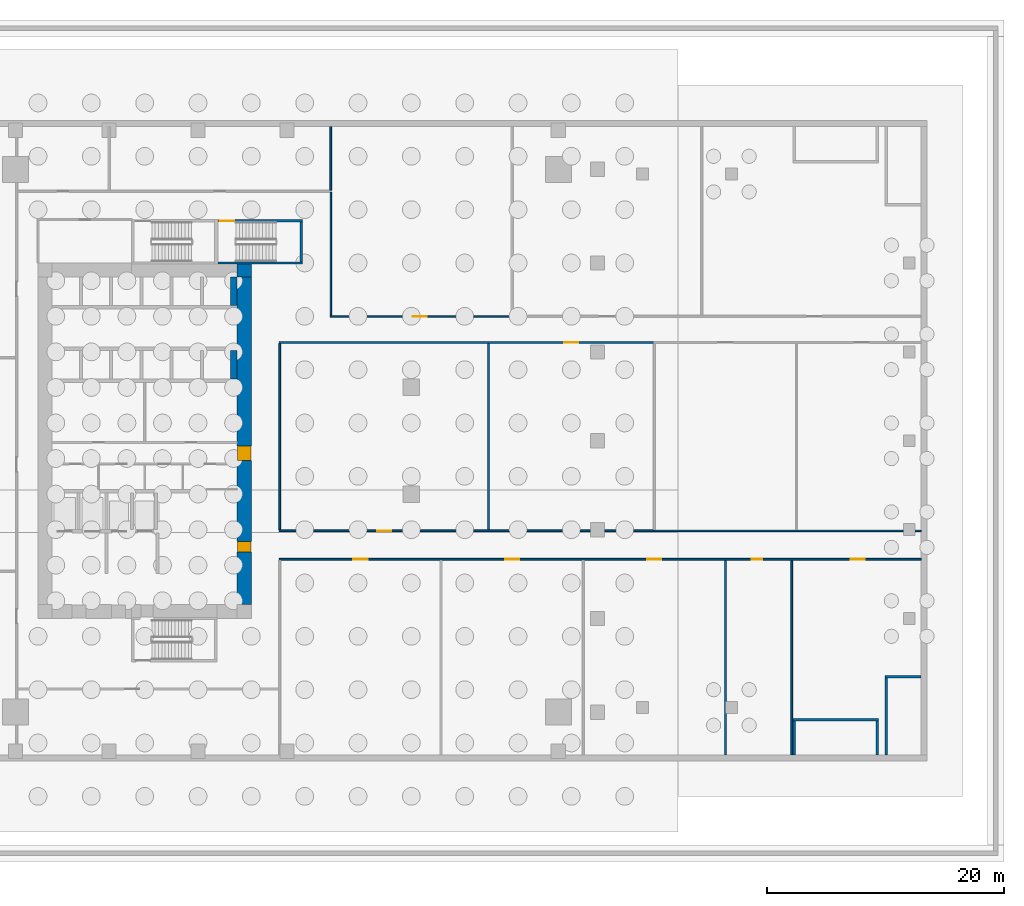
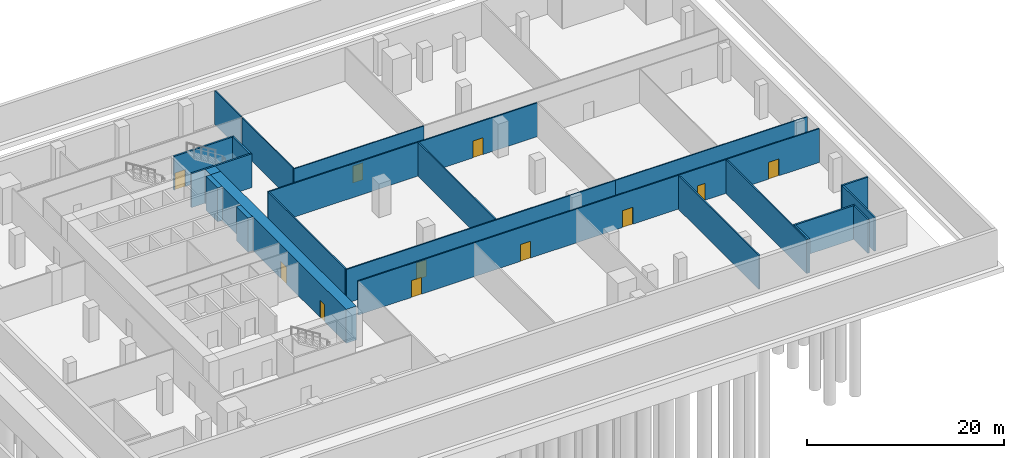
# One storey, part 6 of 10: 23 walls, 11 doors, 11 openings.
"""IFC4 building model written with IfcOpenShell, lengths in metres."""

from ifc_helpers import new_model, si_unit, direction, frame, frame_2d, origin, place, context, subcontext, project, spatial, rectangle, extrude, source, transform, mapped, material, layer, layer_set, type_object, element, fill, save


model = new_model("IFC4")

# Units and contexts
model_context = context("Model", 3, precision=1e-05, world=origin(), true_north=direction((0.0, 1.0)))
body_context = subcontext(model_context, "Body", "Model", "MODEL_VIEW")
ifc_project = project(units=[si_unit("LENGTHUNIT", "METRE"), si_unit("AREAUNIT", "SQUARE_METRE"), si_unit("VOLUMEUNIT", "CUBIC_METRE"), si_unit("PLANEANGLEUNIT", "RADIAN"), si_unit("MASSUNIT", "GRAM", prefix="KILO")], contexts=[model_context])

# Site, building, storey
site_placement = place(None, origin())
site = spatial("IfcSite", under=ifc_project, at=site_placement, CompositionType="ELEMENT")
building_placement = place(site_placement, origin())
building = spatial("IfcBuilding", under=site, at=building_placement, Name="Khomas Fold Tower", CompositionType="ELEMENT")
storey_placement = place(building_placement, frame((0.0, 0.0, -9.0)))
storey = spatial("IfcBuildingStorey", under=building, at=storey_placement, Name="B2", CompositionType="ELEMENT", Elevation=-9.0)

# Wall
ifc_material_1 = material(Name="Concrete C70/85", Category="concrete")
ifc_layer_1 = layer(ifc_material_1, 1.10009765625)
ifc_layer_set_1 = layer_set([ifc_layer_1], Name="Concrete C70/85")
wall_type_1 = type_object("IfcWallType", Name="Core corner wall 1100", PredefinedType="SHEAR", material=ifc_layer_set_1)
shared_shape_1 = source(origin(), body_context, "Body", "SweptSolid", [
    extrude(rectangle(XDim=1.199951171875, YDim=1.10009765625, at=frame_2d((0.60009765625, 0.0))), origin(), (0.0, 0.0, 1.0), 4.199951171875),
])
wall_1_placement = place(storey_placement, frame((22.800048828125, 41.35009765625, 0.0), z_axis=(0.0, 0.0, 1.0), x_axis=(1.0, 0.0, 0.0)))
element("IfcWall", 1, at=wall_1_placement, inside=storey, type_object=wall_type_1, Name="Core wall CW-L-NE-B2", PredefinedType="SHEAR", context=body_context, shape_type="MappedRepresentation", body=[
    mapped(shared_shape_1, transform((0.0, 0.0, 0.0))),
])

# Wall, openings, doors
ifc_material_2 = material(Name="Concrete C70/85", Category="concrete")
ifc_layer_2 = layer(ifc_material_2, 1.199951171875)
ifc_layer_set_2 = layer_set([ifc_layer_2], Name="Concrete C70/85")
wall_type_2 = type_object("IfcWallType", Name="Core wall 1200", PredefinedType="SHEAR", material=ifc_layer_set_2)
shared_shape_2 = source(origin(), body_context, "Body", "SweptSolid", [
    extrude(rectangle(XDim=27.60009765625, YDim=1.199951171875, at=frame_2d((13.800048828125, 0.0))), origin(), (0.0, 0.0, 1.0), 4.199951171875),
])
wall_2_placement = place(storey_placement, frame((23.39990234375, 13.199951171875, 0.0), z_axis=(0.0, 0.0, 1.0), x_axis=(0.0, 1.0, 0.0)))
wall_2 = element("IfcWall", 2, at=wall_2_placement, inside=storey, type_object=wall_type_2, Name="Core wall CW-L-E-B2", PredefinedType="SHEAR", context=body_context, shape_type="MappedRepresentation", body=[
    mapped(shared_shape_2, transform((0.0, 0.0, 0.0))),
])
shared_shape_3 = source(origin(), body_context, "Body", "SweptSolid", [
    extrude(rectangle(XDim=1.199951171875, YDim=2.10009765625, at=frame_2d((0.60009765625, 1.050048828125))), frame((0.0, 0.60986328125, 0.0), z_axis=(0.0, -1.0, 0.0), x_axis=(1.0, 0.0, 0.0)), (0.0, 0.0, 1.0), 1.219970703125),
])
opening_1_placement = place(wall_2_placement, frame((12.14990234375, 0.0, 0.0)))
opening_1 = element("IfcOpeningElement", 3, at=opening_1_placement, cuts=wall_2, Name="Opening 0001", PredefinedType="OPENING", context=body_context, shape_type="MappedRepresentation", body=[
    mapped(shared_shape_3, transform((0.0, 0.0, 0.0))),
])
shared_shape_4 = source(origin(), body_context, "Body", "SweptSolid", [
    extrude(rectangle(XDim=0.89990234375, YDim=2.10009765625, at=frame_2d((0.449951171875, 1.050048828125))), frame((0.0, 0.60986328125, 0.0), z_axis=(0.0, -1.0, 0.0), x_axis=(1.0, 0.0, 0.0)), (0.0, 0.0, 1.0), 1.219970703125),
])
opening_2_placement = place(wall_2_placement, frame((4.39990234375, 0.0, 0.0)))
opening_2 = element("IfcOpeningElement", 4, at=opening_2_placement, cuts=wall_2, Name="Opening 0008", PredefinedType="OPENING", context=body_context, shape_type="MappedRepresentation", body=[
    mapped(shared_shape_4, transform((0.0, 0.0, 0.0))),
])
ifc_material_3 = material(Name="Timber door leaf", Category="wood")
door_type_1 = type_object("IfcDoorType", Name="Door 1200x2100 right-hand", OperationType="SINGLE_SWING_RIGHT", PredefinedType="DOOR", material=ifc_material_3)
shared_shape_5 = source(origin(), body_context, "Body", "SweptSolid", [
    extrude(rectangle(XDim=1.199951171875, YDim=2.10009765625, at=frame_2d((0.60009765625, 1.050048828125))), frame((0.0, 0.5498046875, 0.0), z_axis=(0.0, -1.0, 0.0), x_axis=(1.0, 0.0, 0.0)), (0.0, 0.0, 1.0), 1.099853515625),
])
door_1_placement = place(opening_1_placement, origin())
door_1 = element("IfcDoor", 5, at=door_1_placement, inside=storey, type_object=door_type_1, Name="Door", OperationType="SINGLE_SWING_RIGHT", OverallHeight=2.10009765625, OverallWidth=1.199951171875, PredefinedType="DOOR", context=body_context, shape_type="MappedRepresentation", body=[
    mapped(shared_shape_5, transform((0.0, 0.0, 0.0))),
])
fill(opening_1, door_1)
ifc_material_4 = material(Name="Timber door leaf", Category="wood")
door_type_2 = type_object("IfcDoorType", Name="Door 900x2100 right-hand", OperationType="SINGLE_SWING_RIGHT", PredefinedType="DOOR", material=ifc_material_4)
shared_shape_6 = source(origin(), body_context, "Body", "SweptSolid", [
    extrude(rectangle(XDim=0.89990234375, YDim=2.10009765625, at=frame_2d((0.449951171875, 1.050048828125))), frame((0.0, 0.5498046875, 0.0), z_axis=(0.0, -1.0, 0.0), x_axis=(1.0, 0.0, 0.0)), (0.0, 0.0, 1.0), 1.099853515625),
])
door_2_placement = place(opening_2_placement, origin())
door_2 = element("IfcDoor", 6, at=door_2_placement, inside=storey, type_object=door_type_2, Name="Door", OperationType="SINGLE_SWING_RIGHT", OverallHeight=2.10009765625, OverallWidth=0.89990234375, PredefinedType="DOOR", context=body_context, shape_type="MappedRepresentation", body=[
    mapped(shared_shape_6, transform((0.0, 0.0, 0.0))),
])
fill(opening_2, door_2)

# Wall, opening, door
ifc_material_5 = material(Name="Concrete C50/60", Category="concrete")
ifc_layer_3 = layer(ifc_material_5, 0.199951171875)
ifc_layer_set_3 = layer_set([ifc_layer_3], Name="Concrete C50/60")
wall_type_3 = type_object("IfcWallType", Name="Stair wall 200", PredefinedType="SHEAR", material=ifc_layer_set_3)
shared_shape_7 = source(origin(), body_context, "Body", "SweptSolid", [
    extrude(rectangle(XDim=7.10009765625, YDim=0.199951171875, at=frame_2d((3.550048828125, 0.0))), origin(), (0.0, 0.0, 1.0), 4.199951171875),
])
wall_3_placement = place(storey_placement, frame((21.199951171875, 45.550048828125, 0.0), z_axis=(0.0, 0.0, 1.0), x_axis=(1.0, 0.0, 0.0)))
wall_3 = element("IfcWall", 7, at=wall_3_placement, inside=storey, type_object=wall_type_3, Name="Stair wall SW-ST3-N", PredefinedType="SHEAR", context=body_context, shape_type="MappedRepresentation", body=[
    mapped(shared_shape_7, transform((0.0, 0.0, 0.0))),
])
shared_shape_8 = source(origin(), body_context, "Body", "SweptSolid", [
    extrude(rectangle(XDim=1.199951171875, YDim=2.10009765625, at=frame_2d((0.60009765625, 1.050048828125))), frame((0.0, 0.10986328125, 0.0), z_axis=(0.0, -1.0, 0.0), x_axis=(1.0, 0.0, 0.0)), (0.0, 0.0, 1.0), 0.219970703125),
])
opening_3_placement = place(wall_3_placement, frame((0.14990234375, 0.0, 0.0)))
opening_3 = element("IfcOpeningElement", 8, at=opening_3_placement, cuts=wall_3, Name="Opening SD-ST3", PredefinedType="OPENING", context=body_context, shape_type="MappedRepresentation", body=[
    mapped(shared_shape_8, transform((0.0, 0.0, 0.0))),
])
ifc_material_6 = material(Name="Steel door leaf", Category="steel")
door_type_3 = type_object("IfcDoorType", Name="Stair door 1200x2100 left-hand", OperationType="SINGLE_SWING_LEFT", PredefinedType="DOOR", material=ifc_material_6)
shared_shape_9 = source(origin(), body_context, "Body", "SweptSolid", [
    extrude(rectangle(XDim=1.199951171875, YDim=2.10009765625, at=frame_2d((0.60009765625, 1.050048828125))), frame((0.0, 0.02490234375, 0.0), z_axis=(0.0, -1.0, 0.0), x_axis=(1.0, 0.0, 0.0)), (0.0, 0.0, 1.0), 0.050048828125),
])
door_3_placement = place(opening_3_placement, origin())
door_3 = element("IfcDoor", 9, at=door_3_placement, inside=storey, type_object=door_type_3, Name="Stair door", OperationType="SINGLE_SWING_LEFT", OverallHeight=2.10009765625, OverallWidth=1.199951171875, PredefinedType="DOOR", context=body_context, shape_type="MappedRepresentation", body=[
    mapped(shared_shape_9, transform((0.0, 0.0, 0.0))),
])
fill(opening_3, door_3)

# Walls
wall_4_placement = place(storey_placement, frame((21.199951171875, 42.0, 0.0), z_axis=(0.0, 0.0, 1.0), x_axis=(1.0, 0.0, 0.0)))
element("IfcWall", 10, at=wall_4_placement, inside=storey, type_object=wall_type_3, Name="Stair wall SW-ST3-S", PredefinedType="SHEAR", context=body_context, shape_type="MappedRepresentation", body=[
    mapped(shared_shape_7, transform((0.0, 0.0, 0.0))),
])
shared_shape_10 = source(origin(), body_context, "Body", "SweptSolid", [
    extrude(rectangle(XDim=3.349853515625, YDim=0.199951171875, at=frame_2d((1.6748046875, 0.0))), origin(), (0.0, 0.0, 1.0), 4.199951171875),
])
wall_5_placement = place(storey_placement, frame((28.199951171875, 42.10009765625, 0.0), z_axis=(0.0, 0.0, 1.0), x_axis=(0.0, 1.0, 0.0)))
element("IfcWall", 11, at=wall_5_placement, inside=storey, type_object=wall_type_3, Name="Stair wall SW-ST3-E", PredefinedType="SHEAR", context=body_context, shape_type="MappedRepresentation", body=[
    mapped(shared_shape_10, transform((0.0, 0.0, 0.0))),
])
ifc_material_7 = material(Name="Concrete C50/60", Category="concrete")
ifc_layer_4 = layer(ifc_material_7, 0.550048828125)
ifc_layer_set_4 = layer_set([ifc_layer_4], Name="Concrete C50/60")
wall_type_4 = type_object("IfcWallType", Name="Shaft wall 550", PredefinedType="STANDARD", material=ifc_layer_set_4)
shared_shape_11 = source(origin(), body_context, "Body", "SweptSolid", [
    extrude(rectangle(XDim=2.400146484375, YDim=0.550048828125, at=frame_2d((1.2001953125, 0.0))), origin(), (0.0, 0.0, 1.0), 4.199951171875),
])
for number, where, z_axis, x_axis, name in (
    (12, (22.52490234375, 38.39990234375, 0.0), (0.0, 0.0, 1.0), (0.0, 1.0, 0.0), "Core wall SW-LRN-PE"),
    (13, (22.52490234375, 32.199951171875, 0.0), (0.0, 0.0, 1.0), (0.0, 1.0, 0.0), "Core wall SW-LRS-PE"),
):
    element("IfcWall", number, at=place(storey_placement, frame(where, z_axis=z_axis, x_axis=x_axis)), inside=storey, type_object=wall_type_4, Name=name, PredefinedType="STANDARD", context=body_context, shape_type="MappedRepresentation", body=[
        mapped(shared_shape_11, transform((0.0, 0.0, 0.0))),
    ])
ifc_material_8 = material(Name="Plasterboard fire partition")
ifc_layer_5 = layer(ifc_material_8, 0.14990234375)
ifc_layer_set_5 = layer_set([ifc_layer_5], Name="Plasterboard fire partition")
wall_type_5 = type_object("IfcWallType", Name="Plant room wall PW3 150", PredefinedType="PARTITIONING", material=ifc_layer_set_5)
shared_shape_12 = source(origin(), body_context, "Body", "SweptSolid", [
    extrude(rectangle(XDim=16.39990234375, YDim=0.14990234375, at=frame_2d((8.199951171875, 0.0))), origin(), (0.0, 0.0, 1.0), 4.199951171875),
])
for number, where, z_axis, x_axis, name in (
    (14, (64.0, 0.5, 0.0), (0.0, 0.0, 1.0), (0.0, 1.0, 0.0), "Plant room wall"),
    (15, (69.60009765625, 0.5, 0.0), (0.0, 0.0, 1.0), (0.0, 1.0, 0.0), "Plant room wall"),
):
    element("IfcWall", number, at=place(storey_placement, frame(where, z_axis=z_axis, x_axis=x_axis)), inside=storey, type_object=wall_type_5, Name=name, PredefinedType="PARTITIONING", context=body_context, shape_type="MappedRepresentation", body=[
        mapped(shared_shape_12, transform((0.0, 0.0, 0.0))),
    ])

# Wall, openings, doors
shared_shape_13 = source(origin(), body_context, "Body", "SweptSolid", [
    extrude(rectangle(XDim=54.14990234375, YDim=0.14990234375, at=frame_2d((27.074951171875, 0.0))), origin(), (0.0, 0.0, 1.0), 4.199951171875),
])
wall_6_placement = place(storey_placement, frame((26.35009765625, 17.0, 0.0), z_axis=(0.0, 0.0, 1.0), x_axis=(1.0, 0.0, 0.0)))
wall_6 = element("IfcWall", 16, at=wall_6_placement, inside=storey, type_object=wall_type_5, Name="Plant room wall", PredefinedType="PARTITIONING", context=body_context, shape_type="MappedRepresentation", body=[
    mapped(shared_shape_13, transform((0.0, 0.0, 0.0))),
])
shared_shape_14 = source(origin(), body_context, "Body", "SweptSolid", [
    extrude(rectangle(XDim=1.199951171875, YDim=2.10009765625, at=frame_2d((0.60009765625, 1.050048828125))), frame((0.0, 0.0849609375, 0.0), z_axis=(0.0, -1.0, 0.0), x_axis=(1.0, 0.0, 0.0)), (0.0, 0.0, 1.0), 0.169921875),
])
opening_4_placement = place(wall_6_placement, frame((6.25, 0.0, 0.0)))
opening_4 = element("IfcOpeningElement", 17, at=opening_4_placement, cuts=wall_6, Name="Opening 0011", PredefinedType="OPENING", context=body_context, shape_type="MappedRepresentation", body=[
    mapped(shared_shape_14, transform((0.0, 0.0, 0.0))),
])
opening_5_placement = place(wall_6_placement, frame((19.050048828125, 0.0, 0.0)))
opening_5 = element("IfcOpeningElement", 18, at=opening_5_placement, cuts=wall_6, Name="Opening 0012", PredefinedType="OPENING", context=body_context, shape_type="MappedRepresentation", body=[
    mapped(shared_shape_14, transform((0.0, 0.0, 0.0))),
])
opening_6_placement = place(wall_6_placement, frame((31.050048828125, 0.0, 0.0)))
opening_6 = element("IfcOpeningElement", 19, at=opening_6_placement, cuts=wall_6, Name="Opening 0011", PredefinedType="OPENING", context=body_context, shape_type="MappedRepresentation", body=[
    mapped(shared_shape_14, transform((0.0, 0.0, 0.0))),
])
shared_shape_15 = source(origin(), body_context, "Body", "SweptSolid", [
    extrude(rectangle(XDim=0.89990234375, YDim=2.10009765625, at=frame_2d((0.449951171875, 1.050048828125))), frame((0.0, 0.0849609375, 0.0), z_axis=(0.0, -1.0, 0.0), x_axis=(1.0, 0.0, 0.0)), (0.0, 0.0, 1.0), 0.169921875),
])
opening_7_placement = place(wall_6_placement, frame((39.85009765625, 0.0, 0.0)))
opening_7 = element("IfcOpeningElement", 20, at=opening_7_placement, cuts=wall_6, Name="Opening 0002", PredefinedType="OPENING", context=body_context, shape_type="MappedRepresentation", body=[
    mapped(shared_shape_15, transform((0.0, 0.0, 0.0))),
])
opening_8_placement = place(wall_6_placement, frame((48.199951171875, 0.0, 0.0)))
opening_8 = element("IfcOpeningElement", 21, at=opening_8_placement, cuts=wall_6, Name="Opening 0012", PredefinedType="OPENING", context=body_context, shape_type="MappedRepresentation", body=[
    mapped(shared_shape_14, transform((0.0, 0.0, 0.0))),
])
ifc_material_9 = material(Name="Steel door leaf", Category="steel")
door_type_4 = type_object("IfcDoorType", Name="Plant room door 900x2100 left-hand", OperationType="SINGLE_SWING_LEFT", PredefinedType="DOOR", material=ifc_material_9)
shared_shape_16 = source(origin(), body_context, "Body", "SweptSolid", [
    extrude(rectangle(XDim=0.89990234375, YDim=2.10009765625, at=frame_2d((0.449951171875, 1.050048828125))), frame((0.0, 0.02490234375, 0.0), z_axis=(0.0, -1.0, 0.0), x_axis=(1.0, 0.0, 0.0)), (0.0, 0.0, 1.0), 0.050048828125),
])
door_4_placement = place(opening_7_placement, origin())
door_4 = element("IfcDoor", 22, at=door_4_placement, inside=storey, type_object=door_type_4, Name="Plant room door", OperationType="SINGLE_SWING_LEFT", OverallHeight=2.10009765625, OverallWidth=0.89990234375, PredefinedType="DOOR", context=body_context, shape_type="MappedRepresentation", body=[
    mapped(shared_shape_16, transform((0.0, 0.0, 0.0))),
])
fill(opening_7, door_4)
ifc_material_10 = material(Name="Steel door leaf", Category="steel")
door_type_5 = type_object("IfcDoorType", Name="Plant room door 1200x2100 right-hand", OperationType="SINGLE_SWING_RIGHT", PredefinedType="DOOR", material=ifc_material_10)
door_5_placement = place(opening_4_placement, origin())
door_5 = element("IfcDoor", 23, at=door_5_placement, inside=storey, type_object=door_type_5, Name="Plant room door", OperationType="SINGLE_SWING_RIGHT", OverallHeight=2.10009765625, OverallWidth=1.199951171875, PredefinedType="DOOR", context=body_context, shape_type="MappedRepresentation", body=[
    mapped(shared_shape_9, transform((0.0, 0.0, 0.0))),
])
fill(opening_4, door_5)
ifc_material_11 = material(Name="Steel door leaf", Category="steel")
door_type_6 = type_object("IfcDoorType", Name="Plant room door 1200x2100 left-hand", OperationType="SINGLE_SWING_LEFT", PredefinedType="DOOR", material=ifc_material_11)
door_6_placement = place(opening_5_placement, origin())
door_6 = element("IfcDoor", 24, at=door_6_placement, inside=storey, type_object=door_type_6, Name="Plant room door", OperationType="SINGLE_SWING_LEFT", OverallHeight=2.10009765625, OverallWidth=1.199951171875, PredefinedType="DOOR", context=body_context, shape_type="MappedRepresentation", body=[
    mapped(shared_shape_9, transform((0.0, 0.0, 0.0))),
])
fill(opening_5, door_6)
door_7_placement = place(opening_6_placement, origin())
door_7 = element("IfcDoor", 25, at=door_7_placement, inside=storey, type_object=door_type_5, Name="Plant room door", OperationType="SINGLE_SWING_RIGHT", OverallHeight=2.10009765625, OverallWidth=1.199951171875, PredefinedType="DOOR", context=body_context, shape_type="MappedRepresentation", body=[
    mapped(shared_shape_9, transform((0.0, 0.0, 0.0))),
])
fill(opening_6, door_7)
door_8_placement = place(opening_8_placement, origin())
door_8 = element("IfcDoor", 26, at=door_8_placement, inside=storey, type_object=door_type_6, Name="Plant room door", OperationType="SINGLE_SWING_LEFT", OverallHeight=2.10009765625, OverallWidth=1.199951171875, PredefinedType="DOOR", context=body_context, shape_type="MappedRepresentation", body=[
    mapped(shared_shape_9, transform((0.0, 0.0, 0.0))),
])
fill(opening_8, door_8)

# Wall, opening, door
shared_shape_17 = source(origin(), body_context, "Body", "SweptSolid", [
    extrude(rectangle(XDim=31.599853515625, YDim=0.14990234375, at=frame_2d((15.7998046875, 0.0))), origin(), (0.0, 0.0, 1.0), 4.199951171875),
])
wall_7_placement = place(storey_placement, frame((26.35009765625, 19.39990234375, 0.0), z_axis=(0.0, 0.0, 1.0), x_axis=(1.0, 0.0, 0.0)))
wall_7 = element("IfcWall", 27, at=wall_7_placement, inside=storey, type_object=wall_type_5, Name="Plant room wall", PredefinedType="PARTITIONING", context=body_context, shape_type="MappedRepresentation", body=[
    mapped(shared_shape_17, transform((0.0, 0.0, 0.0))),
])
opening_9_placement = place(wall_7_placement, frame((8.25, 0.0, 0.0)))
opening_9 = element("IfcOpeningElement", 28, at=opening_9_placement, cuts=wall_7, Name="Opening 0011", PredefinedType="OPENING", context=body_context, shape_type="MappedRepresentation", body=[
    mapped(shared_shape_14, transform((0.0, 0.0, 0.0))),
])
door_9_placement = place(opening_9_placement, origin())
door_9 = element("IfcDoor", 29, at=door_9_placement, inside=storey, type_object=door_type_5, Name="Plant room door", OperationType="SINGLE_SWING_RIGHT", OverallHeight=2.10009765625, OverallWidth=1.199951171875, PredefinedType="DOOR", context=body_context, shape_type="MappedRepresentation", body=[
    mapped(shared_shape_9, transform((0.0, 0.0, 0.0))),
])
fill(opening_9, door_9)

wall_8_placement = place(storey_placement, frame((26.35009765625, 35.300048828125, 0.0), z_axis=(0.0, 0.0, 1.0), x_axis=(1.0, 0.0, 0.0)))
wall_8 = element("IfcWall", 30, at=wall_8_placement, inside=storey, type_object=wall_type_5, Name="Plant room wall", PredefinedType="PARTITIONING", context=body_context, shape_type="MappedRepresentation", body=[
    mapped(shared_shape_17, transform((0.0, 0.0, 0.0))),
])
opening_10_placement = place(wall_8_placement, frame((24.050048828125, 0.0, 0.0)))
opening_10 = element("IfcOpeningElement", 31, at=opening_10_placement, cuts=wall_8, Name="Opening 0011", PredefinedType="OPENING", context=body_context, shape_type="MappedRepresentation", body=[
    mapped(shared_shape_14, transform((0.0, 0.0, 0.0))),
])
door_10_placement = place(opening_10_placement, origin())
door_10 = element("IfcDoor", 32, at=door_10_placement, inside=storey, type_object=door_type_5, Name="Plant room door", OperationType="SINGLE_SWING_RIGHT", OverallHeight=2.10009765625, OverallWidth=1.199951171875, PredefinedType="DOOR", context=body_context, shape_type="MappedRepresentation", body=[
    mapped(shared_shape_9, transform((0.0, 0.0, 0.0))),
])
fill(opening_10, door_10)

# Walls
ifc_material_12 = material(Name="Plasterboard partition")
ifc_layer_6 = layer(ifc_material_12, 0.125)
ifc_layer_set_6 = layer_set([ifc_layer_6], Name="Plasterboard partition")
wall_type_6 = type_object("IfcWallType", Name="Partition PW2 125", PredefinedType="PARTITIONING", material=ifc_layer_set_6)
shared_shape_18 = source(origin(), body_context, "Body", "SweptSolid", [
    extrude(rectangle(XDim=22.550048828125, YDim=0.125, at=frame_2d((11.27490234375, 0.0))), origin(), (0.0, 0.0, 1.0), 4.199951171875),
])
wall_9_placement = place(storey_placement, frame((57.949951171875, 19.39990234375, 0.0), z_axis=(0.0, 0.0, 1.0), x_axis=(1.0, 0.0, 0.0)))
element("IfcWall", 33, at=wall_9_placement, inside=storey, type_object=wall_type_6, Name="Partition", PredefinedType="PARTITIONING", context=body_context, shape_type="MappedRepresentation", body=[
    mapped(shared_shape_18, transform((0.0, 0.0, 0.0))),
])
shared_shape_19 = source(origin(), body_context, "Body", "SweptSolid", [
    extrude(rectangle(XDim=15.699951171875, YDim=0.14990234375, at=frame_2d((7.85009765625, 0.0))), origin(), (0.0, 0.0, 1.0), 4.199951171875),
])
for number, where, z_axis, x_axis, name in (
    (34, (26.39990234375, 19.5, 0.0), (0.0, 0.0, 1.0), (0.0, 1.0, 0.0), "Plant room wall"),
    (35, (44.0, 19.5, 0.0), (0.0, 0.0, 1.0), (0.0, 1.0, 0.0), "Plant room wall"),
):
    element("IfcWall", number, at=place(storey_placement, frame(where, z_axis=z_axis, x_axis=x_axis)), inside=storey, type_object=wall_type_5, Name=name, PredefinedType="PARTITIONING", context=body_context, shape_type="MappedRepresentation", body=[
        mapped(shared_shape_19, transform((0.0, 0.0, 0.0))),
    ])

# Wall, opening, door
shared_shape_20 = source(origin(), body_context, "Body", "SweptSolid", [
    extrude(rectangle(XDim=15.300048828125, YDim=0.125, at=frame_2d((7.64990234375, 0.0))), origin(), (0.0, 0.0, 1.0), 4.199951171875),
])
wall_10_placement = place(storey_placement, frame((30.64990234375, 37.5, 0.0), z_axis=(0.0, 0.0, 1.0), x_axis=(1.0, 0.0, 0.0)))
wall_10 = element("IfcWall", 36, at=wall_10_placement, inside=storey, type_object=wall_type_6, Name="Partition", PredefinedType="PARTITIONING", context=body_context, shape_type="MappedRepresentation", body=[
    mapped(shared_shape_20, transform((0.0, 0.0, 0.0))),
])
shared_shape_21 = source(origin(), body_context, "Body", "SweptSolid", [
    extrude(rectangle(XDim=1.199951171875, YDim=2.10009765625, at=frame_2d((0.60009765625, 1.050048828125))), frame((0.0, 0.072509765625, 0.0), z_axis=(0.0, -1.0, 0.0), x_axis=(1.0, 0.0, 0.0)), (0.0, 0.0, 1.0), 0.14501953125),
])
opening_11_placement = place(wall_10_placement, frame((6.949951171875, 0.0, 0.0)))
opening_11 = element("IfcOpeningElement", 37, at=opening_11_placement, cuts=wall_10, Name="Opening 0001", PredefinedType="OPENING", context=body_context, shape_type="MappedRepresentation", body=[
    mapped(shared_shape_21, transform((0.0, 0.0, 0.0))),
])
door_11_placement = place(opening_11_placement, origin())
door_11 = element("IfcDoor", 38, at=door_11_placement, inside=storey, type_object=door_type_1, Name="Door", OperationType="SINGLE_SWING_RIGHT", OverallHeight=2.10009765625, OverallWidth=1.199951171875, PredefinedType="DOOR", context=body_context, shape_type="MappedRepresentation", body=[
    mapped(shared_shape_9, transform((0.0, 0.0, 0.0))),
])
fill(opening_11, door_11)

# Walls
shared_shape_22 = source(origin(), body_context, "Body", "SweptSolid", [
    extrude(rectangle(XDim=10.349853515625, YDim=0.125, at=frame_2d((5.1748046875, 0.0))), origin(), (0.0, 0.0, 1.0), 4.199951171875),
])
wall_11_placement = place(storey_placement, frame((30.699951171875, 37.60009765625, 0.0), z_axis=(0.0, 0.0, 1.0), x_axis=(0.0, 1.0, 0.0)))
element("IfcWall", 39, at=wall_11_placement, inside=storey, type_object=wall_type_6, Name="Partition", PredefinedType="PARTITIONING", context=body_context, shape_type="MappedRepresentation", body=[
    mapped(shared_shape_22, transform((0.0, 0.0, 0.0))),
])
shared_shape_23 = source(origin(), body_context, "Body", "SweptSolid", [
    extrude(rectangle(XDim=5.35009765625, YDim=0.14990234375, at=frame_2d((2.675048828125, 0.0))), origin(), (0.0, 0.0, 1.0), 4.199951171875),
])
wall_12_placement = place(storey_placement, frame((30.699951171875, 48.14990234375, 0.0), z_axis=(0.0, 0.0, 1.0), x_axis=(0.0, 1.0, 0.0)))
element("IfcWall", 40, at=wall_12_placement, inside=storey, type_object=wall_type_5, Name="Plant room wall", PredefinedType="PARTITIONING", context=body_context, shape_type="MappedRepresentation", body=[
    mapped(shared_shape_23, transform((0.0, 0.0, 0.0))),
])
ifc_material_13 = material(Name="Concrete C30/37", Category="concrete")
ifc_layer_7 = layer(ifc_material_13, 0.199951171875)
ifc_layer_set_7 = layer_set([ifc_layer_7], Name="Concrete C30/37")
wall_type_7 = type_object("IfcWallType", Name="Stair wall PW5 200", PredefinedType="PARTITIONING", material=ifc_layer_set_7)
shared_shape_24 = source(origin(), body_context, "Body", "SweptSolid", [
    extrude(rectangle(XDim=2.85009765625, YDim=0.199951171875, at=frame_2d((1.425048828125, 0.0))), origin(), (0.0, 0.0, 1.0), 4.199951171875),
])
for number, where, z_axis, x_axis, name in (
    (41, (69.800048828125, 0.5, 0.0), (0.0, 0.0, 1.0), (0.0, 1.0, 0.0), "Stair wall"),
    (42, (76.800048828125, 0.5, 0.0), (0.0, 0.0, 1.0), (0.0, 1.0, 0.0), "Stair wall"),
):
    element("IfcWall", number, at=place(storey_placement, frame(where, z_axis=z_axis, x_axis=x_axis)), inside=storey, type_object=wall_type_7, Name=name, PredefinedType="PARTITIONING", context=body_context, shape_type="MappedRepresentation", body=[
        mapped(shared_shape_24, transform((0.0, 0.0, 0.0))),
    ])
shared_shape_25 = source(origin(), body_context, "Body", "SweptSolid", [
    extrude(rectangle(XDim=3.050048828125, YDim=0.199951171875, at=frame_2d((1.52490234375, 0.0))), origin(), (0.0, 0.0, 1.0), 4.199951171875),
])
wall_13_placement = place(storey_placement, frame((77.449951171875, 7.10009765625, 0.0), z_axis=(0.0, 0.0, 1.0), x_axis=(1.0, 0.0, 0.0)))
element("IfcWall", 43, at=wall_13_placement, inside=storey, type_object=wall_type_7, Name="Stair wall", PredefinedType="PARTITIONING", context=body_context, shape_type="MappedRepresentation", body=[
    mapped(shared_shape_25, transform((0.0, 0.0, 0.0))),
])
shared_shape_26 = source(origin(), body_context, "Body", "SweptSolid", [
    extrude(rectangle(XDim=7.199951171875, YDim=0.199951171875, at=frame_2d((3.60009765625, 0.0))), origin(), (0.0, 0.0, 1.0), 4.199951171875),
])
wall_14_placement = place(storey_placement, frame((69.699951171875, 3.449951171875, 0.0), z_axis=(0.0, 0.0, 1.0), x_axis=(1.0, 0.0, 0.0)))
element("IfcWall", 44, at=wall_14_placement, inside=storey, type_object=wall_type_7, Name="Stair wall", PredefinedType="PARTITIONING", context=body_context, shape_type="MappedRepresentation", body=[
    mapped(shared_shape_26, transform((0.0, 0.0, 0.0))),
])
shared_shape_27 = source(origin(), body_context, "Body", "SweptSolid", [
    extrude(rectangle(XDim=6.5, YDim=0.199951171875, at=frame_2d((3.25, 0.0))), origin(), (0.0, 0.0, 1.0), 4.199951171875),
])
wall_15_placement = place(storey_placement, frame((77.550048828125, 0.5, 0.0), z_axis=(0.0, 0.0, 1.0), x_axis=(0.0, 1.0, 0.0)))
element("IfcWall", 45, at=wall_15_placement, inside=storey, type_object=wall_type_7, Name="Stair wall", PredefinedType="PARTITIONING", context=body_context, shape_type="MappedRepresentation", body=[
    mapped(shared_shape_27, transform((0.0, 0.0, 0.0))),
])

save(model, "model.ifc")
